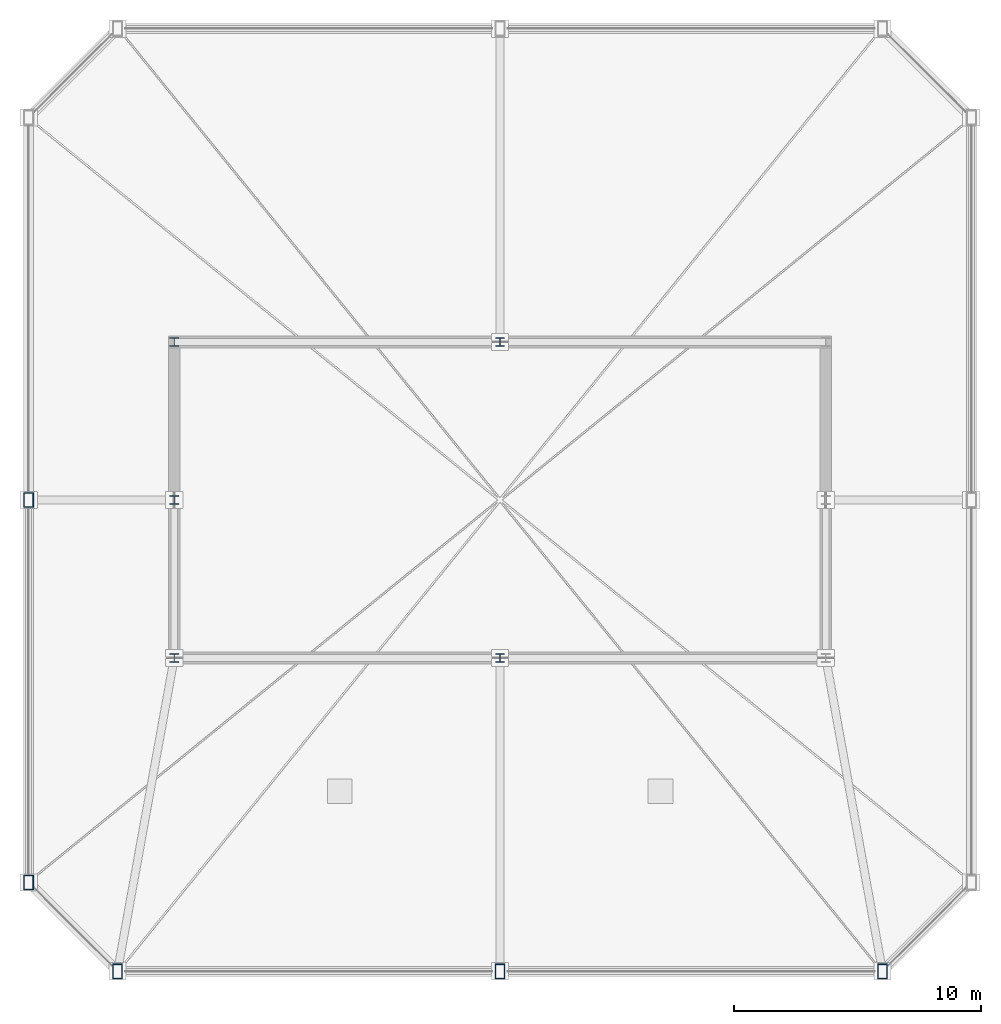
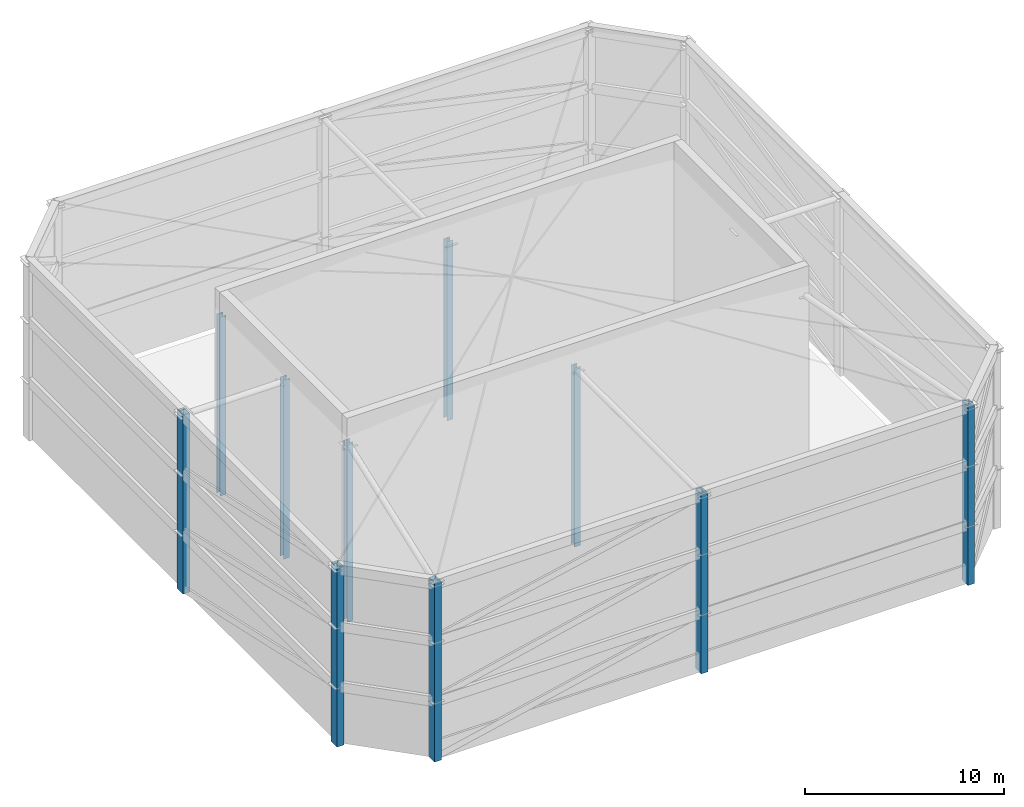
# One storey, part 1 of 6: 10 columns.
"""IFC4 building model written with IfcOpenShell, lengths in metres."""

from ifc_helpers import new_model, si_unit, direction, frame, origin, origin_2d, place, context, subcontext, project, spatial, hollow_rectangle, i_section, extrude, source, transform, mapped, material, material_profile, profile_set, type_object, element, save


model = new_model("IFC4")

# Units and contexts
model_context = context("Model", 3, precision=1e-05, world=origin(), true_north=direction((0.0, 1.0)))
body_context = subcontext(model_context, "Body", "Model", "MODEL_VIEW")
ifc_project = project(units=[si_unit("LENGTHUNIT", "METRE"), si_unit("AREAUNIT", "SQUARE_METRE"), si_unit("VOLUMEUNIT", "CUBIC_METRE"), si_unit("PLANEANGLEUNIT", "RADIAN"), si_unit("MASSUNIT", "GRAM", prefix="KILO"), si_unit("THERMODYNAMICTEMPERATUREUNIT", "KELVIN"), si_unit("POWERUNIT", "WATT")], contexts=[model_context])

# Site, building, storey
site_placement = place(None, origin())
site = spatial("IfcSite", under=ifc_project, at=site_placement, CompositionType="ELEMENT")
building_placement = place(site_placement, origin())
building = spatial("IfcBuilding", under=site, at=building_placement, Name="Yuzanri Waterfront Tower", CompositionType="ELEMENT")
storey_placement = place(building_placement, frame((0.0, 0.0, 363.800048828125)))
storey = spatial("IfcBuildingStorey", under=building, at=storey_placement, Name="RF", CompositionType="ELEMENT", Elevation=363.800048828125)

# Columns
ifc_material_1 = material(Name="Steel Q355B", Category="steel")
ifc_material_profile_1 = material_profile(ifc_material_1, hollow_rectangle(XDim=0.39990234375, YDim=0.60009765625, WallThickness=0.02392578125, at=origin_2d()), Name="RHS 600x400x24")
ifc_profile_set_1 = profile_set([ifc_material_profile_1], Name="Steel Q355B")
column_type_1 = type_object("IfcColumnType", Name="Crown Frame Post Q355B RHS 600x400x24", PredefinedType="COLUMN", material=ifc_profile_set_1)
shared_shape_1 = source(origin(), body_context, "Body", "SweptSolid", [
    extrude(hollow_rectangle(XDim=0.39990234375, YDim=0.60009765625, WallThickness=0.02392578125, at=origin_2d()), origin(), (0.0, 0.0, 1.0), 11.0),
])
for number, where, z_axis, x_axis, name in (
    (1, (21.5, 6.699951171875, 0.0), (0.0, 0.0, 1.0), (1.0, 0.0, 0.0), "RF CROWN FRAME Perimeter Post CS1"),
    (2, (37.0, 6.699951171875, 0.0), (0.0, 0.0, 1.0), (1.0, 0.0, 0.0), "RF CROWN FRAME Perimeter Post CS2"),
    (3, (52.5, 6.699951171875, 0.0), (0.0, 0.0, 1.0), (1.0, 0.0, 0.0), "RF CROWN FRAME Perimeter Post CS3"),
    (4, (17.89990234375, 25.800048828125, 0.0), (0.0, 0.0, 1.0), (1.0, 0.0, 0.0), "RF CROWN FRAME Perimeter Post CW2"),
    (5, (17.89990234375, 10.300048828125, 0.0), (0.0, 0.0, 1.0), (1.0, 0.0, 0.0), "RF CROWN FRAME Perimeter Post CW1"),
):
    element("IfcColumn", number, at=place(storey_placement, frame(where, z_axis=z_axis, x_axis=x_axis)), inside=storey, type_object=column_type_1, Name=name, PredefinedType="COLUMN", context=body_context, shape_type="MappedRepresentation", body=[
        mapped(shared_shape_1, transform((0.0, 0.0, 0.0), scale=1.0)),
    ])
ifc_material_2 = material(Name="Steel Q355B", Category="steel")
ifc_material_profile_2 = material_profile(ifc_material_2, i_section(OverallWidth=0.35009765625, OverallDepth=0.35009765625, WebThickness=0.011962890625, FlangeThickness=0.01904296875, at=origin_2d()), Name="HW 350x350x12x19")
ifc_profile_set_2 = profile_set([ifc_material_profile_2], Name="Steel Q355B")
column_type_2 = type_object("IfcColumnType", Name="Core Post Q355B HW 350x350x12x19", PredefinedType="COLUMN", material=ifc_profile_set_2)
shared_shape_2 = source(origin(), body_context, "Body", "SweptSolid", [
    extrude(i_section(OverallWidth=0.35009765625, OverallDepth=0.35009765625, WebThickness=0.011962890625, FlangeThickness=0.01904296875, at=origin_2d()), origin(), (0.0, 0.0, 1.0), 11.0),
])
for number, where, z_axis, x_axis, name in (
    (6, (23.800048828125, 19.39990234375, 0.0), (0.0, 0.0, 1.0), (1.0, 0.0, 0.0), "RF Crown Core Post CP1"),
    (7, (37.0, 19.39990234375, 0.0), (0.0, 0.0, 1.0), (1.0, 0.0, 0.0), "RF Crown Core Post CP2"),
    (8, (37.0, 32.199951171875, 0.0), (0.0, 0.0, 1.0), (1.0, 0.0, 0.0), "RF Crown Core Post CP7"),
    (9, (23.800048828125, 32.199951171875, 0.0), (0.0, 0.0, 1.0), (1.0, 0.0, 0.0), "RF Crown Core Post CP6"),
    (10, (23.800048828125, 25.800048828125, 0.0), (0.0, 0.0, 1.0), (1.0, 0.0, 0.0), "RF Crown Core Post CP4"),
):
    element("IfcColumn", number, at=place(storey_placement, frame(where, z_axis=z_axis, x_axis=x_axis)), inside=storey, type_object=column_type_2, Name=name, PredefinedType="COLUMN", context=body_context, shape_type="MappedRepresentation", body=[
        mapped(shared_shape_2, transform((0.0, 0.0, 0.0), scale=1.0)),
    ])

save(model, "model.ifc")
